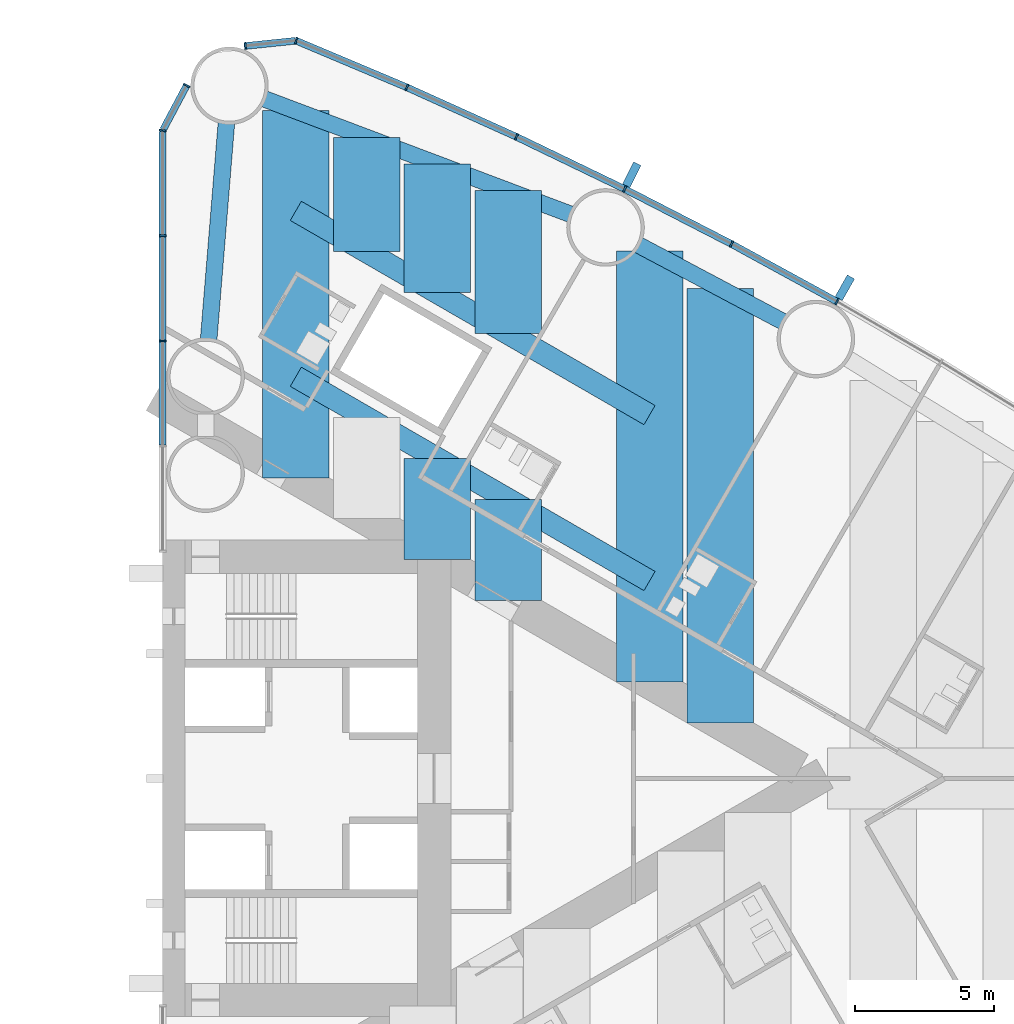
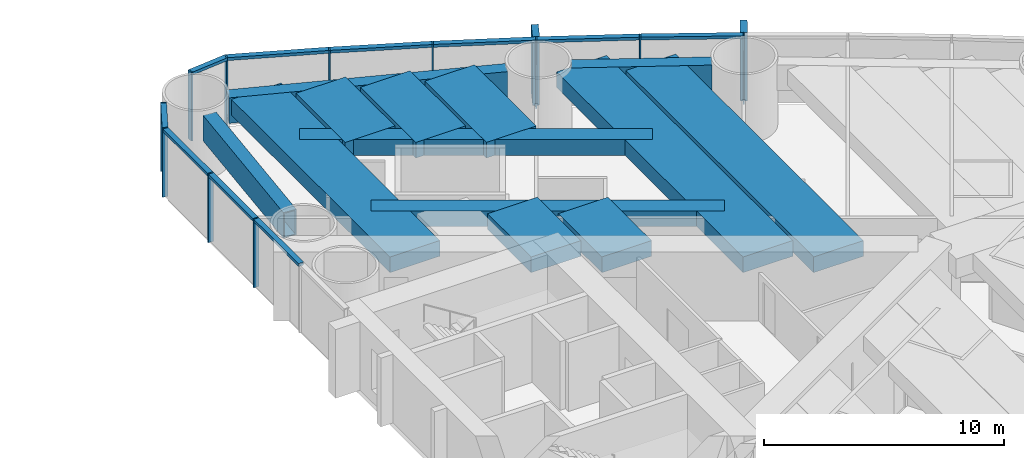
# One storey, part 7 of 19: 23 members, 13 beams, 2 elements without a shape of their own.
"""IFC4 building model written with IfcOpenShell, lengths in metres."""

from ifc_helpers import new_model, si_unit, direction, frame, origin, origin_2d, place, context, subcontext, project, spatial, rectangle, hollow_rectangle, extrude, material, material_profile, profile_set, type_object, element, aggregate, save


model = new_model("IFC4")

# Units and contexts
model_context = context("Model", 3, precision=1e-05, world=origin(), true_north=direction((0.0, 1.0)))
body_context = subcontext(model_context, "Body", "Model", "MODEL_VIEW")
ifc_project = project(units=[si_unit("LENGTHUNIT", "METRE"), si_unit("AREAUNIT", "SQUARE_METRE"), si_unit("VOLUMEUNIT", "CUBIC_METRE"), si_unit("PLANEANGLEUNIT", "RADIAN"), si_unit("MASSUNIT", "GRAM", prefix="KILO")], contexts=[model_context])

# Site, building, storey
site_placement = place(None, origin())
site = spatial("IfcSite", under=ifc_project, at=site_placement, CompositionType="ELEMENT")
building_placement = place(site_placement, origin())
building = spatial("IfcBuilding", under=site, at=building_placement, Name="Lancet Gate Hotel", CompositionType="ELEMENT")
storey_placement = place(building_placement, frame((0.0, 0.0, 74.0)))
storey = spatial("IfcBuildingStorey", under=building, at=storey_placement, Name="L19", CompositionType="ELEMENT", Elevation=74.0)

# Curtain wall, members
ifc_material_1 = material(Name="Aluminium curtain wall", Category="aluminium")
curtain_wall_type = type_object("IfcCurtainWallType", Name="Tower unitised curtain wall", PredefinedType="USERDEFINED", material=ifc_material_1)
curtain_wall_1_placement = place(storey_placement, origin())
curtain_wall_1 = element("IfcCurtainWall", 1, at=curtain_wall_1_placement, inside=storey, type_object=curtain_wall_type, Name="T2 L19 curtain wall 3", ObjectType="UNITISED CURTAIN WALL", PredefinedType="USERDEFINED")
ifc_material_2 = material(Name="Aluminium mullion", Category="aluminium")
ifc_material_profile_1 = material_profile(ifc_material_2, rectangle(XDim=0.06494140625, YDim=0.25, at=origin_2d()), Name="MULLION 65x250")
ifc_profile_set_1 = profile_set([ifc_material_profile_1], Name="Aluminium mullion")
member_type_1 = type_object("IfcMemberType", Name="Aluminium mullion 65x250", PredefinedType="MULLION", material=ifc_profile_set_1)
member_1_placement = place(storey_placement, frame((51.838623046875, 17.208740234375, 0.0), z_axis=(0.0, 0.0, 1.0), x_axis=(-0.871190450382, 0.490945209941, 0.0)))
member_1 = element("IfcMember", 2, at=member_1_placement, type_object=member_type_1, Name="T2 L19 curtain wall 3 mullion 8", PredefinedType="MULLION", context=body_context, shape_type="SweptSolid", body=[
    extrude(rectangle(XDim=0.06494140625, YDim=0.25, at=origin_2d()), origin(), (0.0, 0.0, 1.0), 3.5),
])
member_2_placement = place(storey_placement, frame((48.03271484375, 19.2900390625, 0.0), z_axis=(0.0, 0.0, 1.0), x_axis=(-0.88340346743, 0.468613181347, 0.0)))
member_2 = element("IfcMember", 3, at=member_2_placement, type_object=member_type_1, Name="T2 L19 curtain wall 3 mullion 9", PredefinedType="MULLION", context=body_context, shape_type="SweptSolid", body=[
    extrude(rectangle(XDim=0.06494140625, YDim=0.25, at=origin_2d()), origin(), (0.0, 0.0, 1.0), 3.5),
])
member_3_placement = place(storey_placement, frame((44.17529296875, 21.273681640625, 0.0), z_axis=(0.0, 0.0, 1.0), x_axis=(-0.895044147438, 0.445977548917, 0.0)))
member_3 = element("IfcMember", 4, at=member_3_placement, type_object=member_type_1, Name="T2 L19 curtain wall 3 mullion 10", PredefinedType="MULLION", context=body_context, shape_type="SweptSolid", body=[
    extrude(rectangle(XDim=0.06494140625, YDim=0.25, at=origin_2d()), origin(), (0.0, 0.0, 1.0), 3.5),
])
member_4_placement = place(storey_placement, frame((40.2685546875, 23.15869140625, 0.0), z_axis=(0.0, 0.0, 1.0), x_axis=(-0.906104948671, 0.423052977762, 0.0)))
member_4 = element("IfcMember", 5, at=member_4_placement, type_object=member_type_1, Name="T2 L19 curtain wall 3 mullion 11", PredefinedType="MULLION", context=body_context, shape_type="SweptSolid", body=[
    extrude(rectangle(XDim=0.06494140625, YDim=0.25, at=origin_2d()), origin(), (0.0, 0.0, 1.0), 3.5),
])
member_5_placement = place(storey_placement, frame((36.31494140625, 24.943603515625, 0.0), z_axis=(0.0, 0.0, 1.0), x_axis=(-0.916578705089, 0.399854320193, 0.0)))
member_5 = element("IfcMember", 6, at=member_5_placement, type_object=member_type_1, Name="T2 L19 curtain wall 3 mullion 12", PredefinedType="MULLION", context=body_context, shape_type="SweptSolid", body=[
    extrude(rectangle(XDim=0.06494140625, YDim=0.25, at=origin_2d()), origin(), (0.0, 0.0, 1.0), 3.5),
])
member_6_placement = place(storey_placement, frame((32.3173828125, 26.62744140625, 0.0), z_axis=(0.0, 0.0, 1.0), x_axis=(-0.968721492963, 0.248150496819, 0.0)))
member_6 = element("IfcMember", 7, at=member_6_placement, type_object=member_type_1, Name="T2 L19 curtain wall 3 mullion 13", PredefinedType="MULLION", context=body_context, shape_type="SweptSolid", body=[
    extrude(rectangle(XDim=0.06494140625, YDim=0.25, at=origin_2d()), origin(), (0.0, 0.0, 1.0), 3.5),
])
member_7_placement = place(storey_placement, frame((30.48388671875, 26.4375, 0.0), z_axis=(0.0, 0.0, 1.0), x_axis=(-0.994672262412, -0.10308778001, 0.0)))
member_7 = element("IfcMember", 8, at=member_7_placement, type_object=member_type_1, Name="T2 L19 curtain wall 3 mullion 14", PredefinedType="MULLION", context=body_context, shape_type="SweptSolid", body=[
    extrude(rectangle(XDim=0.06494140625, YDim=0.25, at=origin_2d()), origin(), (0.0, 0.0, 1.0), 3.5),
])

curtain_wall_2_placement = place(storey_placement, origin())
curtain_wall_2 = element("IfcCurtainWall", 9, at=curtain_wall_2_placement, inside=storey, type_object=curtain_wall_type, Name="T2 L19 curtain wall 4", ObjectType="UNITISED CURTAIN WALL", PredefinedType="USERDEFINED")
member_8_placement = place(storey_placement, frame((28.366455078125, 25.012451171875, 0.0), z_axis=(0.0, 0.0, 1.0), x_axis=(-0.469897827284, -0.882720811987, 0.0)))
member_8 = element("IfcMember", 10, at=member_8_placement, type_object=member_type_1, Name="T2 L19 curtain wall 4 mullion 1", PredefinedType="MULLION", context=body_context, shape_type="SweptSolid", body=[
    extrude(rectangle(XDim=0.06494140625, YDim=0.25, at=origin_2d()), origin(), (0.0, 0.0, 1.0), 3.5),
])
member_9_placement = place(storey_placement, frame((27.5, 23.384765625, 0.0), z_axis=(0.0, 0.0, 1.0), x_axis=(-0.157751691459, -0.987478811844, 0.0)))
member_9 = element("IfcMember", 11, at=member_9_placement, type_object=member_type_1, Name="T2 L19 curtain wall 4 mullion 2", PredefinedType="MULLION", context=body_context, shape_type="SweptSolid", body=[
    extrude(rectangle(XDim=0.06494140625, YDim=0.25, at=origin_2d()), origin(), (0.0, 0.0, 1.0), 3.5),
])
member_10_placement = place(storey_placement, frame((27.5, 19.588623046875, 0.0), z_axis=(0.0, 0.0, 1.0), x_axis=(0.0, -1.0, 0.0)))
member_10 = element("IfcMember", 12, at=member_10_placement, type_object=member_type_1, Name="T2 L19 curtain wall 4 mullion 3", PredefinedType="MULLION", context=body_context, shape_type="SweptSolid", body=[
    extrude(rectangle(XDim=0.06494140625, YDim=0.25, at=origin_2d()), origin(), (0.0, 0.0, 1.0), 3.5),
])
member_11_placement = place(storey_placement, frame((27.5, 15.79248046875, 0.0), z_axis=(0.0, 0.0, 1.0), x_axis=(0.0, -1.0, 0.0)))
member_11 = element("IfcMember", 13, at=member_11_placement, type_object=member_type_1, Name="T2 L19 curtain wall 4 mullion 4", PredefinedType="MULLION", context=body_context, shape_type="SweptSolid", body=[
    extrude(rectangle(XDim=0.06494140625, YDim=0.25, at=origin_2d()), origin(), (0.0, 0.0, 1.0), 3.5),
])

# Member
ifc_material_3 = material(Name="Aluminium transom", Category="aluminium")
ifc_material_profile_2 = material_profile(ifc_material_3, rectangle(XDim=0.25, YDim=0.14990234375, at=origin_2d()), Name="TRANSOM 250x150")
ifc_profile_set_2 = profile_set([ifc_material_profile_2], Name="Aluminium transom")
member_type_2 = type_object("IfcMemberType", Name="Aluminium transom 250x150", PredefinedType="USERDEFINED", material=ifc_profile_set_2)
member_12_placement = place(storey_placement, frame((51.81005859375, 17.224365234375, 3.425048828125), z_axis=(-0.877377528879, 0.479800658417, 0.0), x_axis=(-0.479800658417, -0.877377528879, 0.0)))
member_12 = element("IfcMember", 14, at=member_12_placement, type_object=member_type_2, Name="T2 L19 curtain wall 3 transom 8", ObjectType="TRANSOM", PredefinedType="USERDEFINED", context=body_context, shape_type="SweptSolid", body=[
    extrude(rectangle(XDim=0.25, YDim=0.14990234375, at=origin_2d()), origin(), (0.0, 0.0, 1.0), 4.272705078125),
])

member_13_placement = place(storey_placement, frame((48.00390625, 19.304931640625, 3.425048828125), z_axis=(-0.88929576978, 0.457332520002, 0.0), x_axis=(-0.457332520002, -0.88929576978, 0.0)))
member_13 = element("IfcMember", 15, at=member_13_placement, type_object=member_type_2, Name="T2 L19 curtain wall 3 transom 9", ObjectType="TRANSOM", PredefinedType="USERDEFINED", context=body_context, shape_type="SweptSolid", body=[
    extrude(rectangle(XDim=0.25, YDim=0.14990234375, at=origin_2d()), origin(), (0.0, 0.0, 1.0), 4.272705078125),
])

member_14_placement = place(storey_placement, frame((44.14599609375, 21.287841796875, 3.425048828125), z_axis=(-0.900646499888, 0.434552508035, 0.0), x_axis=(-0.434552508035, -0.900646499888, 0.0)))
member_14 = element("IfcMember", 16, at=member_14_placement, type_object=member_type_2, Name="T2 L19 curtain wall 3 transom 10", ObjectType="TRANSOM", PredefinedType="USERDEFINED", context=body_context, shape_type="SweptSolid", body=[
    extrude(rectangle(XDim=0.25, YDim=0.14990234375, at=origin_2d()), origin(), (0.0, 0.0, 1.0), 4.272705078125),
])

member_15_placement = place(storey_placement, frame((40.23876953125, 23.172119140625, 3.425048828125), z_axis=(-0.911396871737, 0.411528543589, 0.0), x_axis=(-0.411528543589, -0.911396871737, 0.0)))
member_15 = element("IfcMember", 17, at=member_15_placement, type_object=member_type_2, Name="T2 L19 curtain wall 3 transom 11", ObjectType="TRANSOM", PredefinedType="USERDEFINED", context=body_context, shape_type="SweptSolid", body=[
    extrude(rectangle(XDim=0.25, YDim=0.14990234375, at=origin_2d()), origin(), (0.0, 0.0, 1.0), 4.272705078125),
])

member_16_placement = place(storey_placement, frame((36.28515625, 24.956298828125, 3.425048828125), z_axis=(-0.92159772617, 0.388146404233, 0.0), x_axis=(-0.388146404233, -0.92159772617, 0.0)))
member_16 = element("IfcMember", 18, at=member_16_placement, type_object=member_type_2, Name="T2 L19 curtain wall 3 transom 12", ObjectType="TRANSOM", PredefinedType="USERDEFINED", context=body_context, shape_type="SweptSolid", body=[
    extrude(rectangle(XDim=0.25, YDim=0.14990234375, at=origin_2d()), origin(), (0.0, 0.0, 1.0), 4.272705078125),
])

member_17_placement = place(storey_placement, frame((32.28515625, 26.6240234375, 3.425048828125), z_axis=(-0.994670452051, -0.103105246306, 0.0), x_axis=(0.103105246306, -0.994670452051, 0.0)))
member_17 = element("IfcMember", 19, at=member_17_placement, type_object=member_type_2, Name="T2 L19 curtain wall 3 transom 13", ObjectType="TRANSOM", PredefinedType="USERDEFINED", context=body_context, shape_type="SweptSolid", body=[
    extrude(rectangle(XDim=0.25, YDim=0.14990234375, at=origin_2d()), origin(), (0.0, 0.0, 1.0), 1.7783203125),
])

member_18_placement = place(storey_placement, frame((28.351318359375, 24.98388671875, 3.425048828125), z_axis=(-0.469904276347, -0.882717378933, 0.0), x_axis=(0.882717378933, -0.469904276347, 0.0)))
member_18 = element("IfcMember", 20, at=member_18_placement, type_object=member_type_2, Name="T2 L19 curtain wall 4 transom 1", ObjectType="TRANSOM", PredefinedType="USERDEFINED", context=body_context, shape_type="SweptSolid", body=[
    extrude(rectangle(XDim=0.25, YDim=0.14990234375, at=origin_2d()), origin(), (0.0, 0.0, 1.0), 1.779052734375),
])

member_19_placement = place(storey_placement, frame((27.5, 23.352294921875, 3.425048828125), z_axis=(0.0, -1.0, 0.0), x_axis=(1.0, 0.0, 0.0)))
member_19 = element("IfcMember", 21, at=member_19_placement, type_object=member_type_2, Name="T2 L19 curtain wall 4 transom 2", ObjectType="TRANSOM", PredefinedType="USERDEFINED", context=body_context, shape_type="SweptSolid", body=[
    extrude(rectangle(XDim=0.25, YDim=0.14990234375, at=origin_2d()), origin(), (0.0, 0.0, 1.0), 3.731201171875),
])

member_20_placement = place(storey_placement, frame((27.5, 19.55615234375, 3.425048828125), z_axis=(0.0, -1.0, 0.0), x_axis=(1.0, 0.0, 0.0)))
member_20 = element("IfcMember", 22, at=member_20_placement, type_object=member_type_2, Name="T2 L19 curtain wall 4 transom 3", ObjectType="TRANSOM", PredefinedType="USERDEFINED", context=body_context, shape_type="SweptSolid", body=[
    extrude(rectangle(XDim=0.25, YDim=0.14990234375, at=origin_2d()), origin(), (0.0, 0.0, 1.0), 3.731201171875),
])

member_21_placement = place(storey_placement, frame((27.5, 15.760009765625, 3.425048828125), z_axis=(0.0, -1.0, 0.0), x_axis=(1.0, 0.0, 0.0)))
member_21 = element("IfcMember", 23, at=member_21_placement, type_object=member_type_2, Name="T2 L19 curtain wall 4 transom 4", ObjectType="TRANSOM", PredefinedType="USERDEFINED", context=body_context, shape_type="SweptSolid", body=[
    extrude(rectangle(XDim=0.25, YDim=0.14990234375, at=origin_2d()), origin(), (0.0, 0.0, 1.0), 3.731201171875),
])

aggregate(curtain_wall_2, [member_8, member_9, member_10, member_11, member_18, member_19, member_20, member_21])

# Beams
ifc_material_4 = material(Name="Steel S460QL", Category="steel")
ifc_material_profile_3 = material_profile(ifc_material_4, hollow_rectangle(XDim=0.60009765625, YDim=1.300048828125, WallThickness=0.050048828125, at=origin_2d()), Name="BOX 1300x600x50")
ifc_profile_set_3 = profile_set([ifc_material_profile_3], Name="Steel S460QL")
beam_type_1 = type_object("IfcBeamType", Name="Edge beam BOX 1300x600x50", PredefinedType="SPANDREL", material=ifc_profile_set_3)
beam_1_placement = place(storey_placement, frame((49.885009765625, 16.490966796875, 2.60009765625), z_axis=(-0.883401848514, 0.468616233225, 0.0), x_axis=(-0.468616233225, -0.883401848514, 0.0)))
element("IfcBeam", 24, at=beam_1_placement, inside=storey, type_object=beam_type_1, Name="T2 edge beam EB2 L19", PredefinedType="SPANDREL", context=body_context, shape_type="SweptSolid", body=[
    extrude(hollow_rectangle(XDim=0.60009765625, YDim=1.300048828125, WallThickness=0.050048828125, at=origin_2d()), origin(), (0.0, 0.0, 1.0), 5.89599609375),
])
beam_2_placement = place(storey_placement, frame((42.220703125, 20.362548828125, 2.60009765625), z_axis=(-0.935731193997, 0.352713952916, 0.0), x_axis=(-0.352713952916, -0.935731193997, 0.0)))
element("IfcBeam", 25, at=beam_2_placement, inside=storey, type_object=beam_type_1, Name="T2 edge beam EB2 L19", PredefinedType="SPANDREL", context=body_context, shape_type="SweptSolid", body=[
    extrude(hollow_rectangle(XDim=0.60009765625, YDim=1.300048828125, WallThickness=0.050048828125, at=origin_2d()), origin(), (0.0, 0.0, 1.0), 11.80517578125),
])
beam_3_placement = place(storey_placement, frame((29.160400390625, 15.845458984375, 2.60009765625), z_axis=(0.081704905917, 0.996656564895, 0.0), x_axis=(-0.996656564895, 0.081704905917, 0.0)))
element("IfcBeam", 26, at=beam_3_placement, inside=storey, type_object=beam_type_1, Name="T2 edge beam EB2 L19", PredefinedType="SPANDREL", context=body_context, shape_type="SweptSolid", body=[
    extrude(hollow_rectangle(XDim=0.60009765625, YDim=1.300048828125, WallThickness=0.050048828125, at=origin_2d()), origin(), (0.0, 0.0, 1.0), 7.837646484375),
])

# Member
ifc_material_5 = material(Name="Precast concrete C50/60", Category="concrete")
ifc_material_profile_4 = material_profile(ifc_material_5, rectangle(XDim=0.300048828125, YDim=0.89990234375, at=origin_2d()), Name="FIN 300x900")
ifc_profile_set_4 = profile_set([ifc_material_profile_4], Name="Precast concrete C50/60")
member_type_3 = type_object("IfcMemberType", Name="Exposed concrete fin 300x900", PredefinedType="USERDEFINED", material=ifc_profile_set_4)
member_22_placement = place(storey_placement, frame((52.120849609375, 17.709716796875, 0.0), z_axis=(0.0, 0.0, 1.0), x_axis=(-0.871190450382, 0.490945209941, 0.0)))
member_22 = element("IfcMember", 27, at=member_22_placement, type_object=member_type_3, Name="T2 L19 curtain wall 3 fin 8", ObjectType="FIN", PredefinedType="USERDEFINED", context=body_context, shape_type="SweptSolid", body=[
    extrude(rectangle(XDim=0.300048828125, YDim=0.89990234375, at=origin_2d()), origin(), (0.0, 0.0, 1.0), 3.5),
])

member_23_placement = place(storey_placement, frame((44.431640625, 21.788330078125, 0.0), z_axis=(0.0, 0.0, 1.0), x_axis=(-0.895044147438, 0.445977548917, 0.0)))
member_23 = element("IfcMember", 28, at=member_23_placement, type_object=member_type_3, Name="T2 L19 curtain wall 3 fin 10", ObjectType="FIN", PredefinedType="USERDEFINED", context=body_context, shape_type="SweptSolid", body=[
    extrude(rectangle(XDim=0.300048828125, YDim=0.89990234375, at=origin_2d()), origin(), (0.0, 0.0, 1.0), 3.5),
])

aggregate(curtain_wall_1, [member_1, member_22, member_2, member_3, member_23, member_4, member_5, member_6, member_7, member_12, member_13, member_14, member_15, member_16, member_17])

# Beams
ifc_material_6 = material(Name="Concrete C50/60", Category="concrete")
ifc_material_profile_5 = material_profile(ifc_material_6, rectangle(XDim=2.39990234375, YDim=0.800048828125, at=origin_2d()), Name="RC 2400x800")
ifc_profile_set_5 = profile_set([ifc_material_profile_5], Name="Concrete C50/60")
beam_type_2 = type_object("IfcBeamType", Name="Floor beam RC 2400x800", PredefinedType="BEAM", material=ifc_profile_set_5)
beam_4_placement = place(storey_placement, frame((32.306396484375, 10.851806640625, 2.85009765625), z_axis=(0.0, 1.0, 0.0), x_axis=(-1.0, 0.0, 0.0)))
element("IfcBeam", 29, at=beam_4_placement, inside=storey, type_object=beam_type_2, Name="T2 floor beam F04N L19", PredefinedType="BEAM", context=body_context, shape_type="SweptSolid", body=[
    extrude(rectangle(XDim=2.39990234375, YDim=0.800048828125, at=origin_2d()), origin(), (0.0, 0.0, 1.0), 13.247802734375),
])
beam_5_placement = place(storey_placement, frame((45.072265625, 3.4814453125, 2.85009765625), z_axis=(0.0, 1.0, 0.0), x_axis=(-1.0, 0.0, 0.0)))
element("IfcBeam", 30, at=beam_5_placement, inside=storey, type_object=beam_type_2, Name="T2 floor beam F12N L19", PredefinedType="BEAM", context=body_context, shape_type="SweptSolid", body=[
    extrude(rectangle(XDim=2.39990234375, YDim=0.800048828125, at=origin_2d()), origin(), (0.0, 0.0, 1.0), 15.5625),
])
beam_6_placement = place(storey_placement, frame((47.62548828125, 2.00732421875, 2.85009765625), z_axis=(0.0, 1.0, 0.0), x_axis=(-1.0, 0.0, 0.0)))
element("IfcBeam", 31, at=beam_6_placement, inside=storey, type_object=beam_type_2, Name="T2 floor beam F14N L19", PredefinedType="BEAM", context=body_context, shape_type="SweptSolid", body=[
    extrude(rectangle(XDim=2.39990234375, YDim=0.800048828125, at=origin_2d()), origin(), (0.0, 0.0, 1.0), 15.68212890625),
])
beam_7_placement = place(storey_placement, frame((34.859619140625, 19.011474609375, 2.85009765625), z_axis=(0.0, 1.0, 0.0), x_axis=(-1.0, 0.0, 0.0)))
element("IfcBeam", 32, at=beam_7_placement, inside=storey, type_object=beam_type_2, Name="T2 floor beam F06NB L19", PredefinedType="BEAM", context=body_context, shape_type="SweptSolid", body=[
    extrude(rectangle(XDim=2.39990234375, YDim=0.800048828125, at=origin_2d()), origin(), (0.0, 0.0, 1.0), 4.125732421875),
])
beam_8_placement = place(storey_placement, frame((37.412841796875, 7.903564453125, 2.85009765625), z_axis=(0.0, 1.0, 0.0), x_axis=(-1.0, 0.0, 0.0)))
element("IfcBeam", 33, at=beam_8_placement, inside=storey, type_object=beam_type_2, Name="T2 floor beam F08NA L19", PredefinedType="BEAM", context=body_context, shape_type="SweptSolid", body=[
    extrude(rectangle(XDim=2.39990234375, YDim=0.800048828125, at=origin_2d()), origin(), (0.0, 0.0, 1.0), 3.6455078125),
])
beam_9_placement = place(storey_placement, frame((37.412841796875, 17.537109375, 2.85009765625), z_axis=(0.0, 1.0, 0.0), x_axis=(-1.0, 0.0, 0.0)))
element("IfcBeam", 34, at=beam_9_placement, inside=storey, type_object=beam_type_2, Name="T2 floor beam F08NB L19", PredefinedType="BEAM", context=body_context, shape_type="SweptSolid", body=[
    extrude(rectangle(XDim=2.39990234375, YDim=0.800048828125, at=origin_2d()), origin(), (0.0, 0.0, 1.0), 4.6376953125),
])
beam_10_placement = place(storey_placement, frame((39.9658203125, 6.429443359375, 2.85009765625), z_axis=(0.0, 1.0, 0.0), x_axis=(-1.0, 0.0, 0.0)))
element("IfcBeam", 35, at=beam_10_placement, inside=storey, type_object=beam_type_2, Name="T2 floor beam F10NA L19", PredefinedType="BEAM", context=body_context, shape_type="SweptSolid", body=[
    extrude(rectangle(XDim=2.39990234375, YDim=0.800048828125, at=origin_2d()), origin(), (0.0, 0.0, 1.0), 3.64501953125),
])
beam_11_placement = place(storey_placement, frame((39.9658203125, 16.062744140625, 2.85009765625), z_axis=(0.0, 1.0, 0.0), x_axis=(-1.0, 0.0, 0.0)))
element("IfcBeam", 36, at=beam_11_placement, inside=storey, type_object=beam_type_2, Name="T2 floor beam F10NB L19", PredefinedType="BEAM", context=body_context, shape_type="SweptSolid", body=[
    extrude(rectangle(XDim=2.39990234375, YDim=0.800048828125, at=origin_2d()), origin(), (0.0, 0.0, 1.0), 5.14990234375),
])
ifc_material_7 = material(Name="Steel S460QL", Category="steel")
ifc_material_profile_6 = material_profile(ifc_material_7, hollow_rectangle(XDim=0.800048828125, YDim=0.800048828125, WallThickness=0.080078125, at=origin_2d()), Name="BOX 800x800x80")
ifc_profile_set_6 = profile_set([ifc_material_profile_6], Name="Steel S460QL")
beam_type_3 = type_object("IfcBeamType", Name="Trimmer beam BOX 800x800x80", PredefinedType="BEAM", material=ifc_profile_set_6)
beam_12_placement = place(storey_placement, frame((32.306396484375, 20.48583984375, 2.85009765625), z_axis=(0.86598286195, -0.500073677381, 0.0), x_axis=(0.500073677381, 0.86598286195, 0.0)))
element("IfcBeam", 37, at=beam_12_placement, inside=storey, type_object=beam_type_3, Name="T2 trimmer beam TR03N L19", PredefinedType="BEAM", context=body_context, shape_type="SweptSolid", body=[
    extrude(hollow_rectangle(XDim=0.800048828125, YDim=0.800048828125, WallThickness=0.080078125, at=origin_2d()), origin(), (0.0, 0.0, 1.0), 14.741455078125),
])
beam_13_placement = place(storey_placement, frame((32.306396484375, 14.497802734375, 2.85009765625), z_axis=(0.865975689888, -0.500086097111, 0.0), x_axis=(0.500086097111, 0.865975689888, 0.0)))
element("IfcBeam", 38, at=beam_13_placement, inside=storey, type_object=beam_type_3, Name="T2 trimmer beam TR04N L19", PredefinedType="BEAM", context=body_context, shape_type="SweptSolid", body=[
    extrude(hollow_rectangle(XDim=0.800048828125, YDim=0.800048828125, WallThickness=0.080078125, at=origin_2d()), origin(), (0.0, 0.0, 1.0), 14.74169921875),
])

save(model, "model.ifc")
